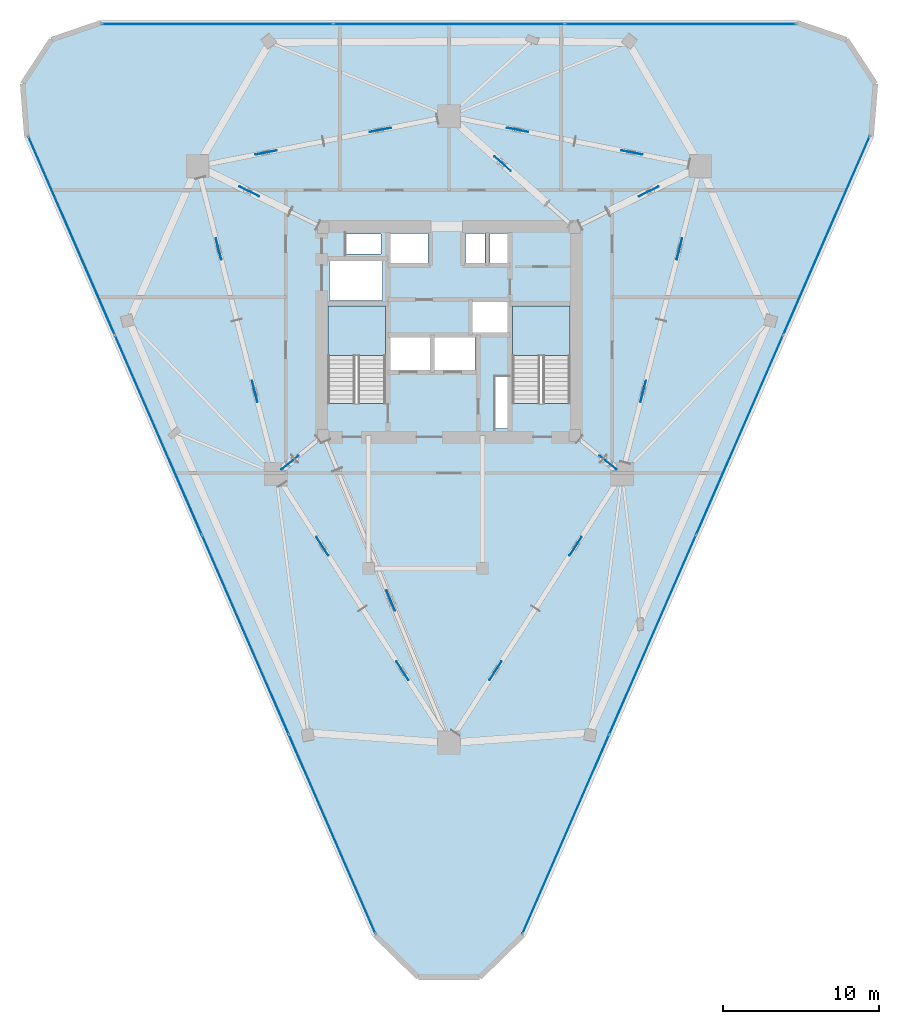
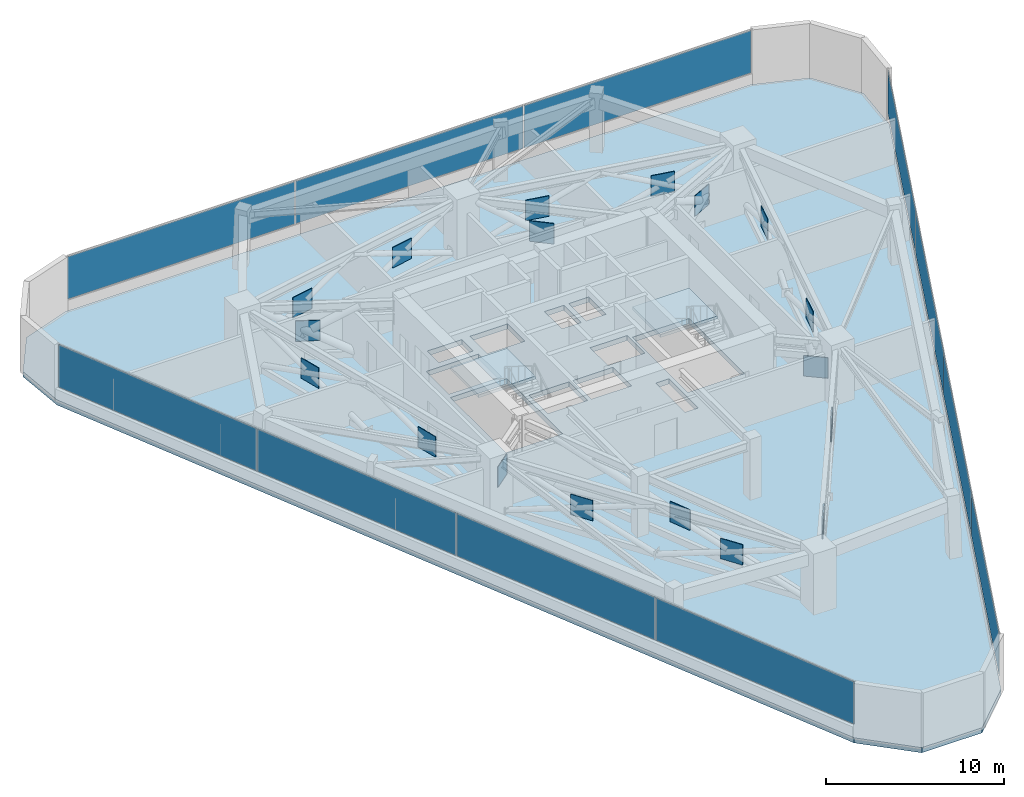
# One storey, part 9 of 13: 29 plates, 3 slabs, 5 elements without a shape of their own.
"""IFC4 building model written with IfcOpenShell, lengths in metres."""

from ifc_helpers import new_model, si_unit, direction, frame, origin, origin_2d, place, context, subcontext, project, spatial, polyline, rectangle, outline, extrude, material, layer, layer_set, type_object, element, aggregate, save


model = new_model("IFC4")

# Units and contexts
model_context = context("Model", 3, precision=1e-05, world=origin(), true_north=direction((0.0, 1.0)))
body_context = subcontext(model_context, "Body", "Model", "MODEL_VIEW")
ifc_project = project(units=[si_unit("LENGTHUNIT", "METRE"), si_unit("AREAUNIT", "SQUARE_METRE"), si_unit("VOLUMEUNIT", "CUBIC_METRE"), si_unit("PLANEANGLEUNIT", "RADIAN"), si_unit("MASSUNIT", "GRAM", prefix="KILO")], contexts=[model_context])

# Site, building, storey
site_placement = place(None, origin())
site = spatial("IfcSite", under=ifc_project, at=site_placement, CompositionType="ELEMENT")
building_placement = place(site_placement, origin())
building = spatial("IfcBuilding", under=site, at=building_placement, Name="Talyreon Biosciences Tower", CompositionType="ELEMENT")
storey_placement = place(building_placement, frame((0.0, 0.0, 171.0)))
storey = spatial("IfcBuildingStorey", under=building, at=storey_placement, Name="L45", CompositionType="ELEMENT", Elevation=171.0)

# Curtain wall, plates
ifc_material_1 = material(Name="Thermally broken aluminium and low-E glazing", Category="aluminium")
ifc_layer_1 = layer(ifc_material_1, 0.18505859375)
ifc_layer_set_1 = layer_set([ifc_layer_1], Name="Thermally broken aluminium and low-E glazing")
curtain_wall_type = type_object("IfcCurtainWallType", Name="CurtainWall_Zone3Bioprocess", PredefinedType="NOTDEFINED", material=ifc_layer_set_1)
curtain_wall_1_placement = place(storey_placement, origin())
curtain_wall_1 = element("IfcCurtainWall", 1, at=curtain_wall_1_placement, inside=storey, type_object=curtain_wall_type, Name="L45 Unitised Curtain Wall FCW-L45-00", PredefinedType="NOTDEFINED")
ifc_material_2 = material(Name="Triple-silver low-E insulated glazing", Category="glass")
ifc_layer_2 = layer(ifc_material_2, 0.031982421875)
ifc_layer_set_2 = layer_set([ifc_layer_2], Name="Triple-silver low-E insulated glazing")
plate_type_1 = type_object("IfcPlateType", Name="CWGlazingPanel_32", PredefinedType="CURTAIN_PANEL", material=ifc_layer_set_2)
plate_1_placement = place(storey_placement, frame((58.5166015625, 35.83154296875, 0.875), z_axis=(0.0, 0.0, 1.0), x_axis=(-0.399300253505, 0.916820215501, 0.0)))
plate_1 = element("IfcPlate", 2, at=plate_1_placement, type_object=plate_type_1, Name="CW4 panel 1.1", PredefinedType="CURTAIN_PANEL", context=body_context, shape_type="SweptSolid", body=[
    extrude(rectangle(XDim=13.84033203125, YDim=0.031982421875, at=origin_2d()), origin(), (0.0, 0.0, 1.0), 2.909912109375),
])
plate_2_placement = place(storey_placement, frame((52.957763671875, 48.59521484375, 0.875), z_axis=(0.0, 0.0, 1.0), x_axis=(-0.399300253505, 0.916820215501, 0.0)))
plate_2 = element("IfcPlate", 3, at=plate_2_placement, type_object=plate_type_1, Name="CW4 panel 2.1", PredefinedType="CURTAIN_PANEL", context=body_context, shape_type="SweptSolid", body=[
    extrude(rectangle(XDim=13.872802734375, YDim=0.031982421875, at=origin_2d()), origin(), (0.0, 0.0, 1.0), 2.909912109375),
])
plate_3_placement = place(storey_placement, frame((47.392333984375, 61.37353515625, 0.875), z_axis=(0.0, 0.0, 1.0), x_axis=(-0.399300253505, 0.916820215501, 0.0)))
plate_3 = element("IfcPlate", 4, at=plate_3_placement, type_object=plate_type_1, Name="CW4 panel 3.1", PredefinedType="CURTAIN_PANEL", context=body_context, shape_type="SweptSolid", body=[
    extrude(rectangle(XDim=13.872802734375, YDim=0.031982421875, at=origin_2d()), origin(), (0.0, 0.0, 1.0), 2.909912109375),
])
plate_4_placement = place(storey_placement, frame((41.83349609375, 74.13720703125, 0.875), z_axis=(0.0, 0.0, 1.0), x_axis=(-0.399300253505, 0.916820215501, 0.0)))
plate_4 = element("IfcPlate", 5, at=plate_4_placement, type_object=plate_type_1, Name="CW4 panel 4.1", PredefinedType="CURTAIN_PANEL", context=body_context, shape_type="SweptSolid", body=[
    extrude(rectangle(XDim=13.84033203125, YDim=0.031982421875, at=origin_2d()), origin(), (0.0, 0.0, 1.0), 2.909912109375),
])
aggregate(curtain_wall_1, [plate_1, plate_2, plate_3, plate_4])

curtain_wall_2_placement = place(storey_placement, origin())
curtain_wall_2 = element("IfcCurtainWall", 6, at=curtain_wall_2_placement, inside=storey, type_object=curtain_wall_type, Name="L45 Unitised Curtain Wall FCW-L45-04", PredefinedType="NOTDEFINED")
plate_5_placement = place(storey_placement, frame((51.17529296875, 87.705810546875, 0.875), z_axis=(0.0, 0.0, 1.0), x_axis=(1.0, 0.0, 0.0)))
plate_5 = element("IfcPlate", 7, at=plate_5_placement, type_object=plate_type_1, Name="CW4 panel 1.1", PredefinedType="CURTAIN_PANEL", context=body_context, shape_type="SweptSolid", body=[
    extrude(rectangle(XDim=14.743408203125, YDim=0.031982421875, at=origin_2d()), origin(), (0.0, 0.0, 1.0), 2.909912109375),
])
plate_6_placement = place(storey_placement, frame((66.0, 87.705810546875, 0.875), z_axis=(0.0, 0.0, 1.0), x_axis=(1.0, 0.0, 0.0)))
plate_6 = element("IfcPlate", 8, at=plate_6_placement, type_object=plate_type_1, Name="CW4 panel 2.1", PredefinedType="CURTAIN_PANEL", context=body_context, shape_type="SweptSolid", body=[
    extrude(rectangle(XDim=14.77587890625, YDim=0.031982421875, at=origin_2d()), origin(), (0.0, 0.0, 1.0), 2.909912109375),
])
plate_7_placement = place(storey_placement, frame((80.82470703125, 87.705810546875, 0.875), z_axis=(0.0, 0.0, 1.0), x_axis=(1.0, 0.0, 0.0)))
plate_7 = element("IfcPlate", 9, at=plate_7_placement, type_object=plate_type_1, Name="CW4 panel 3.1", PredefinedType="CURTAIN_PANEL", context=body_context, shape_type="SweptSolid", body=[
    extrude(rectangle(XDim=14.743408203125, YDim=0.031982421875, at=origin_2d()), origin(), (0.0, 0.0, 1.0), 2.909912109375),
])
aggregate(curtain_wall_2, [plate_5, plate_6, plate_7])

curtain_wall_3_placement = place(storey_placement, origin())
curtain_wall_3 = element("IfcCurtainWall", 10, at=curtain_wall_3_placement, inside=storey, type_object=curtain_wall_type, Name="L45 Unitised Curtain Wall FCW-L45-08", PredefinedType="NOTDEFINED")
plate_8_placement = place(storey_placement, frame((90.16650390625, 74.13720703125, 0.875), z_axis=(0.0, 0.0, 1.0), x_axis=(-0.399300253505, -0.916820215501, 0.0)))
plate_8 = element("IfcPlate", 11, at=plate_8_placement, type_object=plate_type_1, Name="CW4 panel 1.1", PredefinedType="CURTAIN_PANEL", context=body_context, shape_type="SweptSolid", body=[
    extrude(rectangle(XDim=13.84033203125, YDim=0.031982421875, at=origin_2d()), origin(), (0.0, 0.0, 1.0), 2.909912109375),
])
plate_9_placement = place(storey_placement, frame((84.607666015625, 61.37353515625, 0.875), z_axis=(0.0, 0.0, 1.0), x_axis=(-0.399300253505, -0.916820215501, 0.0)))
plate_9 = element("IfcPlate", 12, at=plate_9_placement, type_object=plate_type_1, Name="CW4 panel 2.1", PredefinedType="CURTAIN_PANEL", context=body_context, shape_type="SweptSolid", body=[
    extrude(rectangle(XDim=13.872802734375, YDim=0.031982421875, at=origin_2d()), origin(), (0.0, 0.0, 1.0), 2.909912109375),
])
plate_10_placement = place(storey_placement, frame((79.042236328125, 48.59521484375, 0.875), z_axis=(0.0, 0.0, 1.0), x_axis=(-0.399300253505, -0.916820215501, 0.0)))
plate_10 = element("IfcPlate", 13, at=plate_10_placement, type_object=plate_type_1, Name="CW4 panel 3.1", PredefinedType="CURTAIN_PANEL", context=body_context, shape_type="SweptSolid", body=[
    extrude(rectangle(XDim=13.872802734375, YDim=0.031982421875, at=origin_2d()), origin(), (0.0, 0.0, 1.0), 2.909912109375),
])
plate_11_placement = place(storey_placement, frame((73.4833984375, 35.83154296875, 0.875), z_axis=(0.0, 0.0, 1.0), x_axis=(-0.399300253505, -0.916820215501, 0.0)))
plate_11 = element("IfcPlate", 14, at=plate_11_placement, type_object=plate_type_1, Name="CW4 panel 4.1", PredefinedType="CURTAIN_PANEL", context=body_context, shape_type="SweptSolid", body=[
    extrude(rectangle(XDim=13.84033203125, YDim=0.031982421875, at=origin_2d()), origin(), (0.0, 0.0, 1.0), 2.909912109375),
])
aggregate(curtain_wall_3, [plate_8, plate_9, plate_10, plate_11])

# Slab
ifc_material_3 = material(Name="Concrete C50/60", Category="concrete")
ifc_layer_3 = layer(ifc_material_3, 0.35009765625)
ifc_layer_set_3 = layer_set([ifc_layer_3], Name="Concrete C50/60")
slab_type_1 = type_object("IfcSlabType", Name="PlantOutriggerSlab_350", PredefinedType="FLOOR", material=ifc_layer_set_3)
slab_1_placement = place(storey_placement, frame((0.0, 0.0, -0.35009765625)))
element("IfcSlab", 15, at=slab_1_placement, inside=storey, type_object=slab_type_1, Name="L45 Structural Floor Slab", PredefinedType="FLOOR", context=body_context, shape_type="SweptSolid", body=[
    extrude(outline(polyline([(61.232421875, 29.3955078125), (38.970947265625, 80.509521484375), (38.69970703125, 83.87109375), (40.548095703125, 86.69189453125), (43.738525390625, 87.78564453125), (88.261474609375, 87.78564453125), (91.451904296875, 86.69189453125), (93.30029296875, 83.87109375), (93.029052734375, 80.509521484375), (70.767578125, 29.3955078125), (67.9609375, 26.65576171875), (64.0390625, 26.65576171875), (61.232421875, 29.3955078125)]), holes=[polyline([(61.929931640625, 69.64990234375), (61.929931640625, 63.407958984375), (58.25, 63.407958984375), (58.25, 69.64990234375), (61.929931640625, 69.64990234375)]), polyline([(64.800048828125, 67.64990234375), (64.800048828125, 65.550048828125), (62.199951171875, 65.550048828125), (62.199951171875, 67.64990234375), (64.800048828125, 67.64990234375)]), polyline([(67.64990234375, 67.64990234375), (67.64990234375, 65.550048828125), (65.050048828125, 65.550048828125), (65.050048828125, 67.64990234375), (67.64990234375, 67.64990234375)]), polyline([(61.75, 69.97998046875), (58.35009765625, 69.97998046875), (58.35009765625, 72.550048828125), (61.75, 72.550048828125), (61.75, 69.97998046875)]), polyline([(64.64990234375, 72.35009765625), (62.199951171875, 72.35009765625), (62.199951171875, 74.300048828125), (64.64990234375, 74.300048828125), (64.64990234375, 72.35009765625)]), polyline([(61.64990234375, 74.25), (61.64990234375, 72.9599609375), (59.39990234375, 72.9599609375), (59.39990234375, 74.25), (61.64990234375, 74.25)]), polyline([(69.820068359375, 61.800048828125), (68.9599609375, 61.800048828125), (68.9599609375, 65.10009765625), (69.820068359375, 65.10009765625), (69.820068359375, 61.800048828125)]), polyline([(73.75, 63.407958984375), (70.070068359375, 63.407958984375), (70.070068359375, 69.64990234375), (73.75, 69.64990234375), (73.75, 63.407958984375)]), polyline([(69.89990234375, 69.949951171875), (69.89990234375, 67.949951171875), (67.5, 67.949951171875), (67.5, 69.949951171875), (69.89990234375, 69.949951171875)]), polyline([(68.300048828125, 72.35009765625), (67.050048828125, 72.35009765625), (67.050048828125, 74.300048828125), (68.300048828125, 74.300048828125), (68.300048828125, 72.35009765625)]), polyline([(69.919921875, 72.35009765625), (68.6201171875, 72.35009765625), (68.6201171875, 74.300048828125), (69.919921875, 74.300048828125), (69.919921875, 72.35009765625)])]), origin(), (0.0, 0.0, 1.0), 0.35009765625),
])

# Stair, slab
ifc_material_4 = material(Name="Concrete C40/50", Category="concrete")
stair_type = type_object("IfcStairType", Name="DoglegEscapeStair_4200", PredefinedType="HALF_TURN_STAIR", material=ifc_material_4)
stair_1_placement = place(storey_placement, origin())
stair_1 = element("IfcStair", 16, at=stair_1_placement, inside=storey, type_object=stair_type, Name="L45 Core Escape Stair 1", PredefinedType="HALF_TURN_STAIR")
ifc_layer_4 = layer(ifc_material_4, 0.199951171875)
ifc_layer_set_4 = layer_set([ifc_layer_4], Name="Concrete C40/50")
slab_type_2 = type_object("IfcSlabType", Name="StairLandingSlab_200", PredefinedType="LANDING", material=ifc_layer_set_4)
slab_2_placement = place(storey_placement, frame((0.0, 0.0, 1.89990234375)))
slab_2 = element("IfcSlab", 17, at=slab_2_placement, type_object=slab_type_2, Name="ST-1 landing 1", PredefinedType="LANDING", context=body_context, shape_type="SweptSolid", body=[
    extrude(outline(polyline([(61.929931640625, 66.47998046875), (61.929931640625, 69.64990234375), (58.25, 69.64990234375), (58.25, 66.47998046875), (61.929931640625, 66.47998046875)])), origin(), (0.0, 0.0, 1.0), 0.2001953125),
])
aggregate(stair_1, [slab_2])

stair_2_placement = place(storey_placement, origin())
stair_2 = element("IfcStair", 18, at=stair_2_placement, inside=storey, type_object=stair_type, Name="L45 Core Escape Stair 2", PredefinedType="HALF_TURN_STAIR")
slab_3_placement = place(storey_placement, frame((0.0, 0.0, 1.89990234375)))
slab_3 = element("IfcSlab", 19, at=slab_3_placement, type_object=slab_type_2, Name="ST-2 landing 1", PredefinedType="LANDING", context=body_context, shape_type="SweptSolid", body=[
    extrude(outline(polyline([(73.75, 66.47998046875), (73.75, 69.64990234375), (70.070068359375, 69.64990234375), (70.070068359375, 66.47998046875), (73.75, 66.47998046875)])), origin(), (0.0, 0.0, 1.0), 0.2001953125),
])
aggregate(stair_2, [slab_3])

# Plates
ifc_material_5 = material(Name="Steel SM355", Category="steel")
ifc_layer_5 = layer(ifc_material_5, 0.035888671875)
ifc_layer_set_5 = layer_set([ifc_layer_5], Name="Steel SM355")
plate_type_2 = type_object("IfcPlateType", Name="TrussGussetNodePlate_36", PredefinedType="SHEET", material=ifc_layer_set_5)
for number, where, z_axis, x_axis, name in (
    (20, (62.27587890625, 50.772705078125, 1.219970703125), (0.0, 0.0, 1.0), (0.378535538423, -0.925586757766, 0.0), "Truss node plate NP-OUT-L45-R1-X"),
    (21, (76.184814453125, 59.613525390625, 1.219970703125), (0.0, 0.0, 1.0), (0.775804187739, -0.630973741361, 0.0), "Truss node plate NP-OUT-L45-R2-X"),
    (22, (78.7900390625, 76.974365234375, 1.219970703125), (0.0, 0.0, 1.0), (0.89785858505, 0.440283955252, 0.0), "Truss node plate NP-OUT-L45-R3-X"),
    (23, (69.43017578125, 78.746826171875, 1.219970703125), (0.0, 0.0, 1.0), (-0.748180360492, 0.663495401773, 0.0), "Truss node plate NP-OUT-L45-R4-X"),
    (24, (53.2099609375, 76.974365234375, 1.219970703125), (0.0, 0.0, 1.0), (-0.89785858505, 0.440283955252, 0.0), "Truss node plate NP-OUT-L45-R5-X"),
    (25, (55.815185546875, 59.613525390625, 1.219970703125), (0.0, 0.0, 1.0), (-0.775804187739, -0.630973741361, 0.0), "Truss node plate NP-OUT-L45-R6-X"),
    (26, (68.977294921875, 46.289794921875, 1.219970703125), (0.0, 0.0, 1.0), (0.54145878531, 0.840727294555, 0.0), "Truss node plate NP-BELT-L45-B1S1-X"),
    (27, (74.10888671875, 54.257568359375, 1.219970703125), (0.0, 0.0, 1.0), (0.541473458687, 0.840717844189, 0.0), "Truss node plate NP-BELT-L45-B1S2-X"),
    (28, (78.43408203125, 64.17822265625, 1.219970703125), (0.0, 0.0, 1.0), (0.246542347409, 0.969132019352, 0.0), "Truss node plate NP-BELT-L45-B2S1-X"),
    (29, (80.754638671875, 73.30078125, 1.219970703125), (0.0, 0.0, 1.0), (0.246542347409, 0.969132019352, 0.0), "Truss node plate NP-BELT-L45-B2S2-X"),
    (30, (77.7041015625, 79.47021484375, 1.219970703125), (0.0, 0.0, 1.0), (-0.980934809797, 0.194337075538, 0.0), "Truss node plate NP-BELT-L45-B3S1-X"),
    (31, (70.398193359375, 80.91748046875, 1.219970703125), (0.0, 0.0, 1.0), (-0.980934809797, 0.194337075538, 0.0), "Truss node plate NP-BELT-L45-B3S2-X"),
    (32, (61.6015625, 80.91748046875, 1.219970703125), (0.0, 0.0, 1.0), (-0.980934809797, -0.194337075538, 0.0), "Truss node plate NP-BELT-L45-B4S1-X"),
    (33, (54.2958984375, 79.47021484375, 1.219970703125), (0.0, 0.0, 1.0), (-0.980934809797, -0.194337075538, 0.0), "Truss node plate NP-BELT-L45-B4S2-X"),
    (34, (51.245361328125, 73.30078125, 1.219970703125), (0.0, 0.0, 1.0), (0.246542347409, -0.969132019352, 0.0), "Truss node plate NP-BELT-L45-B5S1-X"),
    (35, (53.566162109375, 64.17822265625, 1.219970703125), (0.0, 0.0, 1.0), (0.246542347409, -0.969132019352, 0.0), "Truss node plate NP-BELT-L45-B5S2-X"),
    (36, (57.89111328125, 54.257568359375, 1.219970703125), (0.0, 0.0, 1.0), (0.541473458687, -0.840717844189, 0.0), "Truss node plate NP-BELT-L45-B6S1-X"),
    (37, (63.022705078125, 46.289794921875, 1.219970703125), (0.0, 0.0, 1.0), (0.54145878531, -0.840727294555, 0.0), "Truss node plate NP-BELT-L45-B6S2-X"),
):
    element("IfcPlate", number, at=place(storey_placement, frame(where, z_axis=z_axis, x_axis=x_axis)), inside=storey, type_object=plate_type_2, Name=name, PredefinedType="SHEET", context=body_context, shape_type="SweptSolid", body=[
        extrude(rectangle(XDim=1.39990234375, YDim=0.035888671875, at=origin_2d()), origin(), (0.0, 0.0, 1.0), 1.39990234375),
    ])

save(model, "model.ifc")
